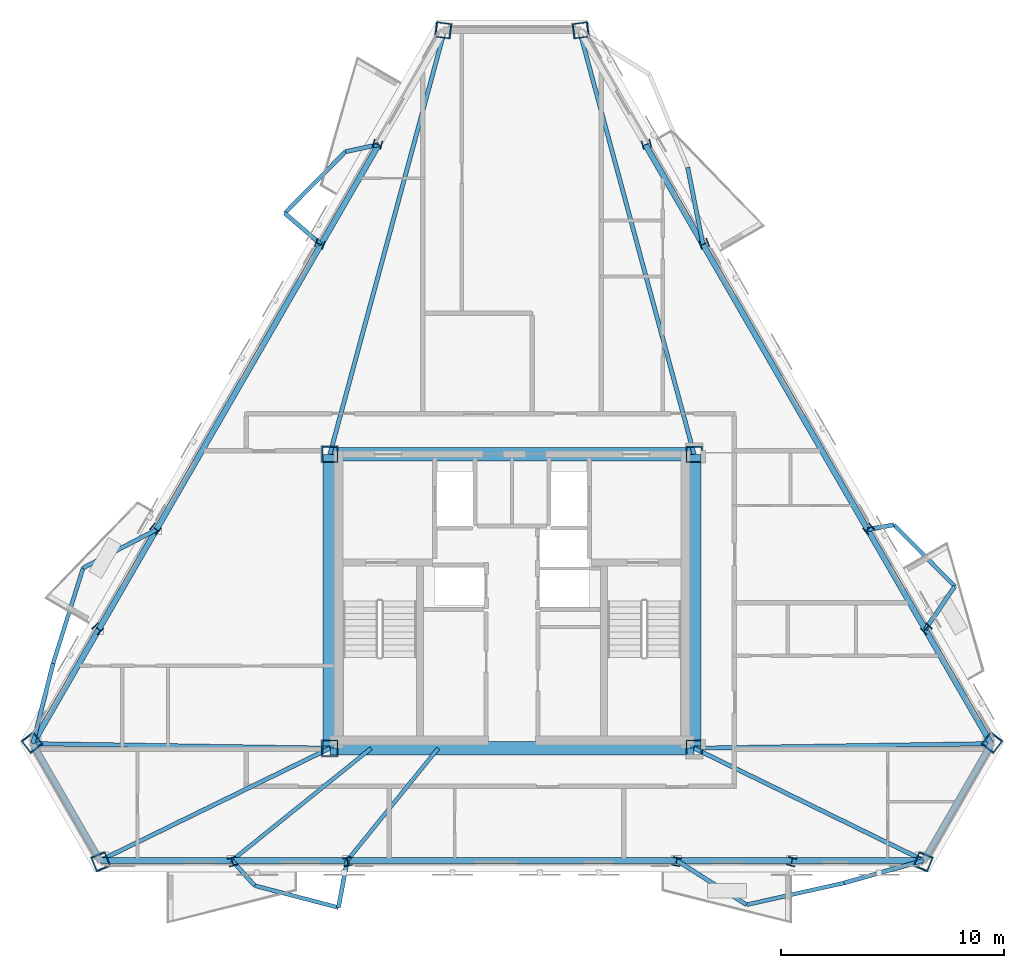
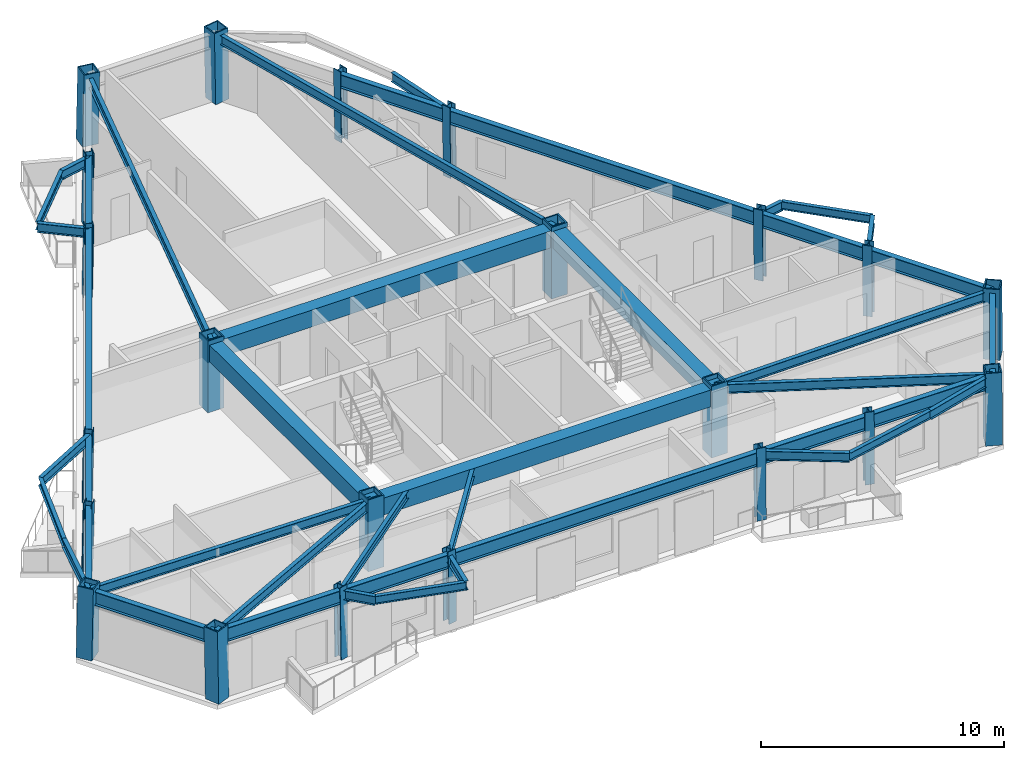
# One storey, part 1 of 9: 43 beams, 22 columns.
"""IFC4 building model written with IfcOpenShell, lengths in metres."""

from ifc_helpers import new_model, si_unit, direction, frame, origin, origin_2d, place, context, subcontext, project, spatial, rectangle, hollow_rectangle, i_section, extrude, material, material_profile, profile_set, type_object, element, save


model = new_model("IFC4")

# Units and contexts
model_context = context("Model", 3, precision=1e-05, world=origin(), true_north=direction((0.0, 1.0)))
body_context = subcontext(model_context, "Body", "Model", "MODEL_VIEW")
ifc_project = project(units=[si_unit("LENGTHUNIT", "METRE"), si_unit("AREAUNIT", "SQUARE_METRE"), si_unit("VOLUMEUNIT", "CUBIC_METRE"), si_unit("PLANEANGLEUNIT", "RADIAN"), si_unit("MASSUNIT", "GRAM", prefix="KILO")], contexts=[model_context])

# Site, building, storey
site_placement = place(None, origin())
site = spatial("IfcSite", under=ifc_project, at=site_placement, CompositionType="ELEMENT")
building_placement = place(site_placement, origin())
building = spatial("IfcBuilding", under=site, at=building_placement, Name="Oramaril Tower", CompositionType="ELEMENT")
storey_placement = place(building_placement, frame((0.0, 0.0, 230.699951171875)))
storey = spatial("IfcBuildingStorey", under=building, at=storey_placement, Name="L61", CompositionType="ELEMENT", Elevation=230.699951171875)

# Columns
ifc_material_1 = material(Name="Steel ASTM A572 Gr 50", Category="steel")
ifc_material_profile_1 = material_profile(ifc_material_1, hollow_rectangle(XDim=0.75, YDim=0.75, WallThickness=0.06005859375, at=origin_2d()), Name="BOX750X750X60")
ifc_profile_set_1 = profile_set([ifc_material_profile_1], Name="Steel ASTM A572 Gr 50")
column_type_1 = type_object("IfcColumnType", Name="CT-CC4", PredefinedType="COLUMN", material=ifc_profile_set_1)
for number, where, z_axis, x_axis, name in (
    (1, (29.35009765625, 11.0, 0.0), (0.0, 0.0, 1.0), (1.0, 0.0, 0.0), "L61 Core Column CC-1"),
    (2, (45.64990234375, 11.0, 0.0), (0.0, 0.0, 1.0), (1.0, 0.0, 0.0), "L61 Core Column CC-2"),
    (3, (45.64990234375, 24.14990234375, 0.0), (0.0, 0.0, 1.0), (1.0, 0.0, 0.0), "L61 Core Column CC-3"),
    (4, (29.35009765625, 24.14990234375, 0.0), (0.0, 0.0, 1.0), (1.0, 0.0, 0.0), "L61 Core Column CC-4"),
):
    element("IfcColumn", number, at=place(storey_placement, frame(where, z_axis=z_axis, x_axis=x_axis)), inside=storey, type_object=column_type_1, Name=name, PredefinedType="COLUMN", context=body_context, shape_type="SweptSolid", body=[
        extrude(hollow_rectangle(XDim=0.75, YDim=0.75, WallThickness=0.06005859375, at=origin_2d()), origin(), (0.0, 0.0, 1.0), 3.60009765625),
    ])
ifc_material_2 = material(Name="Steel ASTM A572 Gr 50", Category="steel")
ifc_material_profile_2 = material_profile(ifc_material_2, hollow_rectangle(XDim=0.699951171875, YDim=0.699951171875, WallThickness=0.054931640625, at=origin_2d()), Name="BOX700X700X55")
ifc_profile_set_2 = profile_set([ifc_material_profile_2], Name="Steel ASTM A572 Gr 50")
column_type_2 = type_object("IfcColumnType", Name="CT-TC4", PredefinedType="COLUMN", material=ifc_profile_set_2)
for number, where, z_axis, x_axis, name in (
    (5, (16.015869140625, 11.26025390625, 0.004638671875), (0.011828072594, -0.015362898887, 0.99981202135), (0.792363245136, 0.610049578114, 0.0), "L61 Tube Column TC-01"),
    (6, (19.102294921875, 5.9140625, 0.004638671875), (-0.00727358835, 0.01794604976, 0.999812499527), (-0.92677229947, -0.375623621376, 0.0), "L61 Tube Column TC-02"),
    (7, (55.897705078125, 5.9140625, 0.004638671875), (0.00727358835, 0.01794604976, 0.999812499527), (-0.92677229947, 0.375623621376, 0.0), "L61 Tube Column TC-03"),
    (8, (58.984130859375, 11.26025390625, 0.004638671875), (-0.011828072594, -0.015362898887, 0.99981202135), (0.792363245136, -0.610049578114, 0.0), "L61 Tube Column TC-04"),
    (9, (40.58642578125, 43.125732421875, 0.004638671875), (-0.019169651902, -0.002583144582, 0.999812908403), (0.133544771916, -0.991042781061, 0.0), "L61 Tube Column TC-05"),
    (10, (34.41357421875, 43.125732421875, 0.004638671875), (0.019169651902, -0.002583144582, 0.999812908403), (0.133544771916, 0.991042781061, 0.0), "L61 Tube Column TC-06"),
):
    element("IfcColumn", number, at=place(storey_placement, frame(where, z_axis=z_axis, x_axis=x_axis)), inside=storey, type_object=column_type_2, Name=name, PredefinedType="COLUMN", context=body_context, shape_type="SweptSolid", body=[
        extrude(hollow_rectangle(XDim=0.699951171875, YDim=0.699951171875, WallThickness=0.054931640625, at=origin_2d()), origin(), (0.0, 0.0, 1.0), 3.591552734375),
    ])
ifc_material_3 = material(Name="Steel ASTM A572 Gr 50", Category="steel")
ifc_material_profile_3 = material_profile(ifc_material_3, i_section(OverallWidth=0.39892578125, OverallDepth=0.385986328125, WebThickness=0.02099609375, FlangeThickness=0.033203125, at=origin_2d()), Name="W14X176")
ifc_profile_set_3 = profile_set([ifc_material_profile_3], Name="Steel ASTM A572 Gr 50")
column_type_3 = type_object("IfcColumnType", Name="CT-TF4", PredefinedType="COLUMN", material=ifc_profile_set_3)
column_1_placement = place(storey_placement, frame((24.989501953125, 5.9140625, 0.004638671875), z_axis=(-0.004962424838, 0.017946303524, 0.999826637237), x_axis=(-0.963831076081, -0.266513896037, 0.0)))
element("IfcColumn", 11, at=column_1_placement, inside=storey, type_object=column_type_3, Name="L61 Tube Column TC-07", PredefinedType="COLUMN", context=body_context, shape_type="SweptSolid", body=[
    extrude(i_section(OverallWidth=0.39892578125, OverallDepth=0.385986328125, WebThickness=0.02099609375, FlangeThickness=0.033203125, at=origin_2d()), origin(), (0.0, 0.0, 1.0), 3.591552734375),
])
for number, where, z_axis, x_axis, name in (
    (12, (30.14111328125, 5.9140625, 0.004638671875), (-0.002991074036, 0.017946444218, 0.999834475609), (-0.986393923832, -0.164398987305, 0.0), "L61 Tube Column TC-08"),
    (13, (44.85888671875, 5.9140625, 0.004638671875), (0.002991074036, 0.017946444218, 0.999834475609), (-0.986393923832, 0.164398987305, 0.0), "L61 Tube Column TC-09"),
):
    element("IfcColumn", number, at=place(storey_placement, frame(where, z_axis=z_axis, x_axis=x_axis)), inside=storey, type_object=column_type_3, Name=name, PredefinedType="COLUMN", context=body_context, shape_type="SweptSolid", body=[
        extrude(i_section(OverallWidth=0.39892578125, OverallDepth=0.385986328125, WebThickness=0.02099609375, FlangeThickness=0.033203125, at=origin_2d()), origin(), (0.0, 0.0, 1.0), 3.59130859375),
    ])
for number, where, z_axis, x_axis, name in (
    (14, (50.010498046875, 5.9140625, 0.004638671875), (0.004962424838, 0.017946303524, 0.999826637237), (-0.963831076081, 0.266513896037, 0.0), "L61 Tube Column TC-10"),
    (15, (56.04052734375, 16.358642578125, 0.004638671875), (-0.012983894256, -0.013255808272, 0.999827836198), (0.714395955768, -0.699741679752, 0.0), "L61 Tube Column TC-11"),
):
    element("IfcColumn", number, at=place(storey_placement, frame(where, z_axis=z_axis, x_axis=x_axis)), inside=storey, type_object=column_type_3, Name=name, PredefinedType="COLUMN", context=body_context, shape_type="SweptSolid", body=[
        extrude(i_section(OverallWidth=0.39892578125, OverallDepth=0.385986328125, WebThickness=0.02099609375, FlangeThickness=0.033203125, at=origin_2d()), origin(), (0.0, 0.0, 1.0), 3.591552734375),
    ])
for number, where, z_axis, x_axis, name in (
    (16, (53.46484375, 20.81982421875, 0.004638671875), (-0.01407165098, -0.011488449351, 0.999834988471), (0.632422318611, -0.774623786701, 0.0), "L61 Tube Column TC-12"),
    (17, (46.105712890625, 33.566162109375, 0.004638671875), (-0.016926783589, -0.006458009803, 0.999835875585), (0.356463384925, -0.934309293119, 0.0), "L61 Tube Column TC-13"),
):
    element("IfcColumn", number, at=place(storey_placement, frame(where, z_axis=z_axis, x_axis=x_axis)), inside=storey, type_object=column_type_3, Name=name, PredefinedType="COLUMN", context=body_context, shape_type="SweptSolid", body=[
        extrude(i_section(OverallWidth=0.39892578125, OverallDepth=0.385986328125, WebThickness=0.02099609375, FlangeThickness=0.033203125, at=origin_2d()), origin(), (0.0, 0.0, 1.0), 3.59130859375),
    ])
for number, where, z_axis, x_axis, name in (
    (18, (43.530029296875, 38.027099609375, 0.004638671875), (-0.017946332757, -0.004622540256, 0.999828265885), (0.249434236033, -0.968391739894, 0.0), "L61 Tube Column TC-14"),
    (19, (31.469970703125, 38.027099609375, 0.004638671875), (0.017946332757, -0.004622540256, 0.999828265885), (0.249434236033, 0.968391739894, 0.0), "L61 Tube Column TC-15"),
):
    element("IfcColumn", number, at=place(storey_placement, frame(where, z_axis=z_axis, x_axis=x_axis)), inside=storey, type_object=column_type_3, Name=name, PredefinedType="COLUMN", context=body_context, shape_type="SweptSolid", body=[
        extrude(i_section(OverallWidth=0.39892578125, OverallDepth=0.385986328125, WebThickness=0.02099609375, FlangeThickness=0.033203125, at=origin_2d()), origin(), (0.0, 0.0, 1.0), 3.591552734375),
    ])
for number, where, z_axis, x_axis, name in (
    (20, (28.894287109375, 33.566162109375, 0.004638671875), (0.016926783589, -0.006458009803, 0.999835875585), (0.356463384925, 0.934309293119, 0.0), "L61 Tube Column TC-16"),
    (21, (21.53515625, 20.81982421875, 0.004638671875), (0.01407165098, -0.011488449351, 0.999834988471), (0.632422318611, 0.774623786701, 0.0), "L61 Tube Column TC-17"),
):
    element("IfcColumn", number, at=place(storey_placement, frame(where, z_axis=z_axis, x_axis=x_axis)), inside=storey, type_object=column_type_3, Name=name, PredefinedType="COLUMN", context=body_context, shape_type="SweptSolid", body=[
        extrude(i_section(OverallWidth=0.39892578125, OverallDepth=0.385986328125, WebThickness=0.02099609375, FlangeThickness=0.033203125, at=origin_2d()), origin(), (0.0, 0.0, 1.0), 3.59130859375),
    ])
column_2_placement = place(storey_placement, frame((18.95947265625, 16.358642578125, 0.004638671875), z_axis=(0.012983894256, -0.013255808272, 0.999827836198), x_axis=(0.714395955768, 0.699741679752, 0.0)))
element("IfcColumn", 22, at=column_2_placement, inside=storey, type_object=column_type_3, Name="L61 Tube Column TC-18", PredefinedType="COLUMN", context=body_context, shape_type="SweptSolid", body=[
    extrude(i_section(OverallWidth=0.39892578125, OverallDepth=0.385986328125, WebThickness=0.02099609375, FlangeThickness=0.033203125, at=origin_2d()), origin(), (0.0, 0.0, 1.0), 3.591552734375),
])

# Beams
ifc_material_4 = material(Name="Steel ASTM A572 Gr 50", Category="steel")
ifc_material_profile_4 = material_profile(ifc_material_4, i_section(OverallWidth=0.19091796875, OverallDepth=0.45703125, WebThickness=0.009033203125, FlangeThickness=0.014404296875, at=origin_2d()), Name="W18X50")
ifc_profile_set_4 = profile_set([ifc_material_profile_4], Name="Steel ASTM A572 Gr 50")
beam_type_1 = type_object("IfcBeamType", Name="BT-BB1", PredefinedType="BEAM", material=ifc_profile_set_4)
beam_1_placement = place(storey_placement, frame((29.35009765625, 11.0, 3.151611328125), z_axis=(-0.999880994523, 0.015427144636, 0.0), x_axis=(-0.015427144636, -0.999880994523, 0.0)))
element("IfcBeam", 23, at=beam_1_placement, inside=storey, type_object=beam_type_1, Name="L61 Radial Primary Beam RB-01", PredefinedType="BEAM", context=body_context, shape_type="SweptSolid", body=[
    extrude(i_section(OverallWidth=0.19091796875, OverallDepth=0.45703125, WebThickness=0.009033203125, FlangeThickness=0.014404296875, at=origin_2d()), origin(), (0.0, 0.0, 1.0), 13.293212890625),
])
for number, where, z_axis, x_axis, name in (
    (24, (29.35009765625, 11.0, 3.151611328125), (-0.898430033288, -0.439116698937, 0.0), (0.439116698937, -0.898430033288, 0.0), "L61 Radial Primary Beam RB-02"),
    (25, (45.64990234375, 11.0, 3.151611328125), (0.898430033288, -0.439116698937, 0.0), (0.439116698937, 0.898430033288, 0.0), "L61 Radial Primary Beam RB-03"),
):
    element("IfcBeam", number, at=place(storey_placement, frame(where, z_axis=z_axis, x_axis=x_axis)), inside=storey, type_object=beam_type_1, Name=name, PredefinedType="BEAM", context=body_context, shape_type="SweptSolid", body=[
        extrude(i_section(OverallWidth=0.19091796875, OverallDepth=0.45703125, WebThickness=0.009033203125, FlangeThickness=0.014404296875, at=origin_2d()), origin(), (0.0, 0.0, 1.0), 11.435302734375),
    ])
beam_2_placement = place(storey_placement, frame((45.64990234375, 11.0, 3.151611328125), z_axis=(0.999880994523, 0.015427144636, 0.0), x_axis=(-0.015427144636, 0.999880994523, 0.0)))
element("IfcBeam", 26, at=beam_2_placement, inside=storey, type_object=beam_type_1, Name="L61 Radial Primary Beam RB-04", PredefinedType="BEAM", context=body_context, shape_type="SweptSolid", body=[
    extrude(i_section(OverallWidth=0.19091796875, OverallDepth=0.45703125, WebThickness=0.009033203125, FlangeThickness=0.014404296875, at=origin_2d()), origin(), (0.0, 0.0, 1.0), 13.293212890625),
])
for number, where, z_axis, x_axis, name in (
    (27, (45.64990234375, 24.14990234375, 3.151611328125), (-0.261204445551, 0.965283501167, 0.0), (-0.965283501167, -0.261204445551, 0.0), "L61 Radial Primary Beam RB-05"),
    (28, (29.35009765625, 24.14990234375, 3.151611328125), (0.261204445551, 0.965283501167, 0.0), (-0.965283501167, 0.261204445551, 0.0), "L61 Radial Primary Beam RB-06"),
):
    element("IfcBeam", number, at=place(storey_placement, frame(where, z_axis=z_axis, x_axis=x_axis)), inside=storey, type_object=beam_type_1, Name=name, PredefinedType="BEAM", context=body_context, shape_type="SweptSolid", body=[
        extrude(i_section(OverallWidth=0.19091796875, OverallDepth=0.45703125, WebThickness=0.009033203125, FlangeThickness=0.014404296875, at=origin_2d()), origin(), (0.0, 0.0, 1.0), 19.648681640625),
    ])
beam_3_placement = place(storey_placement, frame((24.9716796875, 5.978515625, 3.151611328125), z_axis=(0.669506293963, -0.74280638281, 0.0), x_axis=(0.74280638281, 0.669506293963, 0.0)))
element("IfcBeam", 29, at=beam_3_placement, inside=storey, type_object=beam_type_1, Name="L61 Balcony Column-Framed Cantilever 01.1", PredefinedType="BEAM", context=body_context, shape_type="SweptSolid", body=[
    extrude(i_section(OverallWidth=0.19091796875, OverallDepth=0.45703125, WebThickness=0.009033203125, FlangeThickness=0.014404296875, at=origin_2d()), origin(), (0.0, 0.0, 1.0), 1.518798828125),
])
beam_4_placement = place(storey_placement, frame((30.13037109375, 5.978515625, 3.151611328125), z_axis=(-0.185490791445, -0.982646002531, 0.0), x_axis=(0.982646002531, -0.185490791445, 0.0)))
element("IfcBeam", 30, at=beam_4_placement, inside=storey, type_object=beam_type_1, Name="L61 Balcony Column-Framed Cantilever 01.2", PredefinedType="BEAM", context=body_context, shape_type="SweptSolid", body=[
    extrude(i_section(OverallWidth=0.19091796875, OverallDepth=0.45703125, WebThickness=0.009033203125, FlangeThickness=0.014404296875, at=origin_2d()), origin(), (0.0, 0.0, 1.0), 2.145263671875),
])
for number, where, z_axis, x_axis, name in (
    (31, (44.86962890625, 5.978515625, 3.151611328125), (0.844394284407, -0.535722215762, 0.0), (0.535722215762, 0.844394284407, 0.0), "L61 Balcony Column-Framed Cantilever 02.1"),
    (32, (55.923828125, 5.978515625, 3.151611328125), (-0.962227899272, -0.272245238456, 0.0), (0.272245238456, -0.962227899272, 0.0), "L61 Balcony Column-Framed Cantilever 02.2"),
):
    element("IfcBeam", number, at=place(storey_placement, frame(where, z_axis=z_axis, x_axis=x_axis)), inside=storey, type_object=beam_type_1, Name=name, PredefinedType="BEAM", context=body_context, shape_type="SweptSolid", body=[
        extrude(i_section(OverallWidth=0.19091796875, OverallDepth=0.45703125, WebThickness=0.009033203125, FlangeThickness=0.014404296875, at=origin_2d()), origin(), (0.0, 0.0, 1.0), 3.699951171875),
    ])
beam_5_placement = place(storey_placement, frame((55.993896484375, 16.31103515625, 3.151611328125), z_axis=(0.562786427554, 0.826602345122, 0.0), x_axis=(-0.826602345122, 0.562786427554, 0.0)))
element("IfcBeam", 33, at=beam_5_placement, inside=storey, type_object=beam_type_1, Name="L61 Balcony Column-Framed Cantilever 03.1", PredefinedType="BEAM", context=body_context, shape_type="SweptSolid", body=[
    extrude(i_section(OverallWidth=0.19091796875, OverallDepth=0.45703125, WebThickness=0.009033203125, FlangeThickness=0.014404296875, at=origin_2d()), origin(), (0.0, 0.0, 1.0), 2.34033203125),
])
beam_6_placement = place(storey_placement, frame((53.414306640625, 20.778564453125, 3.151611328125), z_axis=(0.983026628784, 0.183462931135, 0.0), x_axis=(-0.183462931135, 0.983026628784, 0.0)))
element("IfcBeam", 34, at=beam_6_placement, inside=storey, type_object=beam_type_1, Name="L61 Balcony Column-Framed Cantilever 03.2", PredefinedType="BEAM", context=body_context, shape_type="SweptSolid", body=[
    extrude(i_section(OverallWidth=0.19091796875, OverallDepth=0.45703125, WebThickness=0.009033203125, FlangeThickness=0.014404296875, at=origin_2d()), origin(), (0.0, 0.0, 1.0), 1.1962890625),
])
beam_7_placement = place(storey_placement, frame((46.044921875, 33.54296875, 3.151611328125), z_axis=(-0.195072483693, 0.980788828498, 0.0), x_axis=(-0.980788828498, -0.195072483693, 0.0)))
element("IfcBeam", 35, at=beam_7_placement, inside=storey, type_object=beam_type_1, Name="L61 Balcony Column-Framed Cantilever 04.1", PredefinedType="BEAM", context=body_context, shape_type="SweptSolid", body=[
    extrude(i_section(OverallWidth=0.19091796875, OverallDepth=0.45703125, WebThickness=0.009033203125, FlangeThickness=0.014404296875, at=origin_2d()), origin(), (0.0, 0.0, 1.0), 3.50927734375),
])
beam_8_placement = place(storey_placement, frame((31.534423828125, 38.010498046875, 3.151611328125), z_axis=(-0.978048792626, -0.208376004479, 0.0), x_axis=(0.208376004479, -0.978048792626, 0.0)))
element("IfcBeam", 36, at=beam_8_placement, inside=storey, type_object=beam_type_1, Name="L61 Balcony Column-Framed Cantilever 05.1", PredefinedType="BEAM", context=body_context, shape_type="SweptSolid", body=[
    extrude(i_section(OverallWidth=0.19091796875, OverallDepth=0.45703125, WebThickness=0.009033203125, FlangeThickness=0.014404296875, at=origin_2d()), origin(), (0.0, 0.0, 1.0), 1.5185546875),
])
beam_9_placement = place(storey_placement, frame((28.955078125, 33.54296875, 3.151611328125), z_axis=(-0.758203200479, 0.652018333165, 0.0), x_axis=(-0.652018333165, -0.758203200479, 0.0)))
element("IfcBeam", 37, at=beam_9_placement, inside=storey, type_object=beam_type_1, Name="L61 Balcony Column-Framed Cantilever 05.2", PredefinedType="BEAM", context=body_context, shape_type="SweptSolid", body=[
    extrude(i_section(OverallWidth=0.19091796875, OverallDepth=0.45703125, WebThickness=0.009033203125, FlangeThickness=0.014404296875, at=origin_2d()), origin(), (0.0, 0.0, 1.0), 2.145263671875),
])
beam_10_placement = place(storey_placement, frame((21.585693359375, 20.778564453125, 3.151611328125), z_axis=(-0.886123225641, -0.463449704907, 0.0), x_axis=(0.463449704907, -0.886123225641, 0.0)))
element("IfcBeam", 38, at=beam_10_placement, inside=storey, type_object=beam_type_1, Name="L61 Balcony Column-Framed Cantilever 06.1", PredefinedType="BEAM", context=body_context, shape_type="SweptSolid", body=[
    extrude(i_section(OverallWidth=0.19091796875, OverallDepth=0.45703125, WebThickness=0.009033203125, FlangeThickness=0.014404296875, at=origin_2d()), origin(), (0.0, 0.0, 1.0), 3.7001953125),
])
beam_11_placement = place(storey_placement, frame((16.058349609375, 11.205078125, 3.151611328125), z_axis=(0.245391254889, 0.969424123913, 0.0), x_axis=(-0.969424123913, 0.245391254889, 0.0)))
element("IfcBeam", 39, at=beam_11_placement, inside=storey, type_object=beam_type_1, Name="L61 Balcony Column-Framed Cantilever 06.2", PredefinedType="BEAM", context=body_context, shape_type="SweptSolid", body=[
    extrude(i_section(OverallWidth=0.19091796875, OverallDepth=0.45703125, WebThickness=0.009033203125, FlangeThickness=0.014404296875, at=origin_2d()), origin(), (0.0, 0.0, 1.0), 3.699951171875),
])
ifc_material_5 = material(Name="Concrete C50/60", Category="concrete")
ifc_material_profile_5 = material_profile(ifc_material_5, rectangle(XDim=0.60009765625, YDim=0.85009765625, at=origin_2d()), Name="CB600X850")
ifc_profile_set_5 = profile_set([ifc_material_profile_5], Name="Concrete C50/60")
beam_type_2 = type_object("IfcBeamType", Name="BT-CB2", PredefinedType="BEAM", material=ifc_profile_set_5)
beam_12_placement = place(storey_placement, frame((29.35009765625, 11.0, 2.955078125), z_axis=(1.0, 0.0, 0.0), x_axis=(0.0, 1.0, 0.0)))
element("IfcBeam", 40, at=beam_12_placement, inside=storey, type_object=beam_type_2, Name="L61 Core Header Beam CB-1", PredefinedType="BEAM", context=body_context, shape_type="SweptSolid", body=[
    extrude(rectangle(XDim=0.60009765625, YDim=0.85009765625, at=origin_2d()), origin(), (0.0, 0.0, 1.0), 16.2998046875),
])
beam_13_placement = place(storey_placement, frame((45.64990234375, 11.0, 2.955078125), z_axis=(0.0, 1.0, 0.0), x_axis=(-1.0, 0.0, 0.0)))
element("IfcBeam", 41, at=beam_13_placement, inside=storey, type_object=beam_type_2, Name="L61 Core Header Beam CB-2", PredefinedType="BEAM", context=body_context, shape_type="SweptSolid", body=[
    extrude(rectangle(XDim=0.60009765625, YDim=0.85009765625, at=origin_2d()), origin(), (0.0, 0.0, 1.0), 13.14990234375),
])
beam_14_placement = place(storey_placement, frame((45.64990234375, 24.14990234375, 2.955078125), z_axis=(-1.0, 0.0, 0.0), x_axis=(0.0, -1.0, 0.0)))
element("IfcBeam", 42, at=beam_14_placement, inside=storey, type_object=beam_type_2, Name="L61 Core Header Beam CB-3", PredefinedType="BEAM", context=body_context, shape_type="SweptSolid", body=[
    extrude(rectangle(XDim=0.60009765625, YDim=0.85009765625, at=origin_2d()), origin(), (0.0, 0.0, 1.0), 16.2998046875),
])
beam_15_placement = place(storey_placement, frame((29.35009765625, 24.14990234375, 2.955078125), z_axis=(0.0, -1.0, 0.0), x_axis=(1.0, 0.0, 0.0)))
element("IfcBeam", 43, at=beam_15_placement, inside=storey, type_object=beam_type_2, Name="L61 Core Header Beam CB-4", PredefinedType="BEAM", context=body_context, shape_type="SweptSolid", body=[
    extrude(rectangle(XDim=0.60009765625, YDim=0.85009765625, at=origin_2d()), origin(), (0.0, 0.0, 1.0), 13.14990234375),
])
ifc_material_6 = material(Name="Steel ASTM A572 Gr 50", Category="steel")
ifc_material_profile_6 = material_profile(ifc_material_6, i_section(OverallWidth=0.177978515625, OverallDepth=0.404052734375, WebThickness=0.007568359375, FlangeThickness=0.010986328125, at=origin_2d()), Name="W16X36")
ifc_profile_set_6 = profile_set([ifc_material_profile_6], Name="Steel ASTM A572 Gr 50")
beam_type_3 = type_object("IfcBeamType", Name="BT-SB1", PredefinedType="BEAM", material=ifc_profile_set_6)
beam_16_placement = place(storey_placement, frame((31.199951171875, 11.0, 3.177978515625), z_axis=(-0.77849336365, -0.627652836171, 0.0), x_axis=(0.627652836171, -0.77849336365, 0.0)))
element("IfcBeam", 44, at=beam_16_placement, inside=storey, type_object=beam_type_3, Name="L61 Secondary Floor Beam SB-01", PredefinedType="BEAM", context=body_context, shape_type="SweptSolid", body=[
    extrude(i_section(OverallWidth=0.177978515625, OverallDepth=0.404052734375, WebThickness=0.007568359375, FlangeThickness=0.010986328125, at=origin_2d()), origin(), (0.0, 0.0, 1.0), 8.00048828125),
])
beam_17_placement = place(storey_placement, frame((34.199951171875, 11.0, 3.177978515625), z_axis=(-0.629625166781, -0.776899059953, 0.0), x_axis=(0.776899059953, -0.629625166781, 0.0)))
element("IfcBeam", 45, at=beam_17_placement, inside=storey, type_object=beam_type_3, Name="L61 Secondary Floor Beam SB-02", PredefinedType="BEAM", context=body_context, shape_type="SweptSolid", body=[
    extrude(i_section(OverallWidth=0.177978515625, OverallDepth=0.404052734375, WebThickness=0.007568359375, FlangeThickness=0.010986328125, at=origin_2d()), origin(), (0.0, 0.0, 1.0), 6.46337890625),
])
beam_18_placement = place(storey_placement, frame((25.988525390625, 4.850341796875, 3.177978515625), z_axis=(0.967407922874, -0.253223045479, 0.0), x_axis=(0.253223045479, 0.967407922874, 0.0)))
element("IfcBeam", 46, at=beam_18_placement, inside=storey, type_object=beam_type_3, Name="L61 Balcony Edge Tie Beam 01", PredefinedType="BEAM", context=body_context, shape_type="SweptSolid", body=[
    extrude(i_section(OverallWidth=0.177978515625, OverallDepth=0.404052734375, WebThickness=0.007568359375, FlangeThickness=0.010986328125, at=origin_2d()), origin(), (0.0, 0.0, 1.0), 3.8701171875),
])
beam_19_placement = place(storey_placement, frame((47.993896484375, 3.996337890625, 3.177978515625), z_axis=(0.976005804242, 0.217744506444, 0.0), x_axis=(-0.217744506444, 0.976005804242, 0.0)))
element("IfcBeam", 47, at=beam_19_placement, inside=storey, type_object=beam_type_3, Name="L61 Balcony Edge Tie Beam 02", PredefinedType="BEAM", context=body_context, shape_type="SweptSolid", body=[
    extrude(i_section(OverallWidth=0.177978515625, OverallDepth=0.404052734375, WebThickness=0.007568359375, FlangeThickness=0.010986328125, at=origin_2d()), origin(), (0.0, 0.0, 1.0), 4.47705078125),
])
for number, where, z_axis, x_axis, name in (
    (48, (57.31103515625, 18.24560546875, 3.177978515625), (-0.702994511648, 0.71119527318, 0.0), (-0.71119527318, -0.702994511648, 0.0), "L61 Balcony Edge Tie Beam 03"),
    (49, (30.04931640625, 37.694091796875, 3.177978515625), (-0.702994511648, -0.71119527318, 0.0), (0.71119527318, -0.702994511648, 0.0), "L61 Balcony Edge Tie Beam 05"),
):
    element("IfcBeam", number, at=place(storey_placement, frame(where, z_axis=z_axis, x_axis=x_axis)), inside=storey, type_object=beam_type_3, Name=name, PredefinedType="BEAM", context=body_context, shape_type="SweptSolid", body=[
        extrude(i_section(OverallWidth=0.177978515625, OverallDepth=0.404052734375, WebThickness=0.007568359375, FlangeThickness=0.010986328125, at=origin_2d()), origin(), (0.0, 0.0, 1.0), 3.8701171875),
    ])
beam_20_placement = place(storey_placement, frame((18.306884765625, 19.063720703125, 3.177978515625), z_axis=(-0.299426707436, -0.954119304319, 0.0), x_axis=(0.954119304319, -0.299426707436, 0.0)))
element("IfcBeam", 50, at=beam_20_placement, inside=storey, type_object=beam_type_3, Name="L61 Balcony Edge Tie Beam 06", PredefinedType="BEAM", context=body_context, shape_type="SweptSolid", body=[
    extrude(i_section(OverallWidth=0.177978515625, OverallDepth=0.404052734375, WebThickness=0.007568359375, FlangeThickness=0.010986328125, at=origin_2d()), origin(), (0.0, 0.0, 1.0), 4.47705078125),
])
ifc_material_7 = material(Name="Steel ASTM A572 Gr 50", Category="steel")
ifc_material_profile_7 = material_profile(ifc_material_7, i_section(OverallWidth=0.257080078125, OverallDepth=0.693115234375, WebThickness=0.014404296875, FlangeThickness=0.023681640625, at=origin_2d()), Name="W27X114")
ifc_profile_set_7 = profile_set([ifc_material_profile_7], Name="Steel ASTM A572 Gr 50")
beam_type_4 = type_object("IfcBeamType", Name="BT-SP4", PredefinedType="SPANDREL", material=ifc_profile_set_7)
beam_21_placement = place(storey_placement, frame((16.058349609375, 11.205078125, 3.033447265625), z_axis=(0.500032931097, -0.866006390172, 0.0), x_axis=(0.866006390172, 0.500032931097, 0.0)))
element("IfcBeam", 51, at=beam_21_placement, inside=storey, type_object=beam_type_4, Name="L61 Perimeter Spandrel 01", PredefinedType="SPANDREL", context=body_context, shape_type="SweptSolid", body=[
    extrude(i_section(OverallWidth=0.257080078125, OverallDepth=0.693115234375, WebThickness=0.014404296875, FlangeThickness=0.023681640625, at=origin_2d()), origin(), (0.0, 0.0, 1.0), 6.03515625),
])
beam_22_placement = place(storey_placement, frame((19.076171875, 5.978515625, 3.033447265625), z_axis=(1.0, 0.0, 0.0), x_axis=(0.0, 1.0, 0.0)))
element("IfcBeam", 52, at=beam_22_placement, inside=storey, type_object=beam_type_4, Name="L61 Perimeter Spandrel 02", PredefinedType="SPANDREL", context=body_context, shape_type="SweptSolid", body=[
    extrude(i_section(OverallWidth=0.257080078125, OverallDepth=0.693115234375, WebThickness=0.014404296875, FlangeThickness=0.023681640625, at=origin_2d()), origin(), (0.0, 0.0, 1.0), 5.8955078125),
])
beam_23_placement = place(storey_placement, frame((24.9716796875, 5.978515625, 3.033447265625), z_axis=(1.0, 0.0, 0.0), x_axis=(0.0, 1.0, 0.0)))
element("IfcBeam", 53, at=beam_23_placement, inside=storey, type_object=beam_type_4, Name="L61 Perimeter Spandrel 03", PredefinedType="SPANDREL", context=body_context, shape_type="SweptSolid", body=[
    extrude(i_section(OverallWidth=0.257080078125, OverallDepth=0.693115234375, WebThickness=0.014404296875, FlangeThickness=0.023681640625, at=origin_2d()), origin(), (0.0, 0.0, 1.0), 5.15869140625),
])
beam_24_placement = place(storey_placement, frame((30.13037109375, 5.978515625, 3.033447265625), z_axis=(1.0, 0.0, 0.0), x_axis=(0.0, 1.0, 0.0)))
element("IfcBeam", 54, at=beam_24_placement, inside=storey, type_object=beam_type_4, Name="L61 Perimeter Spandrel 04", PredefinedType="SPANDREL", context=body_context, shape_type="SweptSolid", body=[
    extrude(i_section(OverallWidth=0.257080078125, OverallDepth=0.693115234375, WebThickness=0.014404296875, FlangeThickness=0.023681640625, at=origin_2d()), origin(), (0.0, 0.0, 1.0), 14.7392578125),
])
beam_25_placement = place(storey_placement, frame((44.86962890625, 5.978515625, 3.033447265625), z_axis=(1.0, 0.0, 0.0), x_axis=(0.0, 1.0, 0.0)))
element("IfcBeam", 55, at=beam_25_placement, inside=storey, type_object=beam_type_4, Name="L61 Perimeter Spandrel 05", PredefinedType="SPANDREL", context=body_context, shape_type="SweptSolid", body=[
    extrude(i_section(OverallWidth=0.257080078125, OverallDepth=0.693115234375, WebThickness=0.014404296875, FlangeThickness=0.023681640625, at=origin_2d()), origin(), (0.0, 0.0, 1.0), 5.15869140625),
])
beam_26_placement = place(storey_placement, frame((50.0283203125, 5.978515625, 3.033447265625), z_axis=(1.0, 0.0, 0.0), x_axis=(0.0, 1.0, 0.0)))
element("IfcBeam", 56, at=beam_26_placement, inside=storey, type_object=beam_type_4, Name="L61 Perimeter Spandrel 06", PredefinedType="SPANDREL", context=body_context, shape_type="SweptSolid", body=[
    extrude(i_section(OverallWidth=0.257080078125, OverallDepth=0.693115234375, WebThickness=0.014404296875, FlangeThickness=0.023681640625, at=origin_2d()), origin(), (0.0, 0.0, 1.0), 5.8955078125),
])
beam_27_placement = place(storey_placement, frame((55.923828125, 5.978515625, 3.033447265625), z_axis=(0.500032931097, 0.866006390172, 0.0), x_axis=(-0.866006390172, 0.500032931097, 0.0)))
element("IfcBeam", 57, at=beam_27_placement, inside=storey, type_object=beam_type_4, Name="L61 Perimeter Spandrel 07", PredefinedType="SPANDREL", context=body_context, shape_type="SweptSolid", body=[
    extrude(i_section(OverallWidth=0.257080078125, OverallDepth=0.693115234375, WebThickness=0.014404296875, FlangeThickness=0.023681640625, at=origin_2d()), origin(), (0.0, 0.0, 1.0), 6.03515625),
])
beam_28_placement = place(storey_placement, frame((58.941650390625, 11.205078125, 3.033447265625), z_axis=(-0.499978150234, 0.866038018385, 0.0), x_axis=(-0.866038018385, -0.499978150234, 0.0)))
element("IfcBeam", 58, at=beam_28_placement, inside=storey, type_object=beam_type_4, Name="L61 Perimeter Spandrel 08", PredefinedType="SPANDREL", context=body_context, shape_type="SweptSolid", body=[
    extrude(i_section(OverallWidth=0.257080078125, OverallDepth=0.693115234375, WebThickness=0.014404296875, FlangeThickness=0.023681640625, at=origin_2d()), origin(), (0.0, 0.0, 1.0), 5.895751953125),
])
beam_29_placement = place(storey_placement, frame((55.993896484375, 16.31103515625, 3.033447265625), z_axis=(-0.500037886552, 0.866003528868, 0.0), x_axis=(-0.866003528868, -0.500037886552, 0.0)))
element("IfcBeam", 59, at=beam_29_placement, inside=storey, type_object=beam_type_4, Name="L61 Perimeter Spandrel 09", PredefinedType="SPANDREL", context=body_context, shape_type="SweptSolid", body=[
    extrude(i_section(OverallWidth=0.257080078125, OverallDepth=0.693115234375, WebThickness=0.014404296875, FlangeThickness=0.023681640625, at=origin_2d()), origin(), (0.0, 0.0, 1.0), 5.15869140625),
])
beam_30_placement = place(storey_placement, frame((53.414306640625, 20.778564453125, 3.033447265625), z_axis=(-0.499992494826, 0.866029736855, 0.0), x_axis=(-0.866029736855, -0.499992494826, 0.0)))
element("IfcBeam", 60, at=beam_30_placement, inside=storey, type_object=beam_type_4, Name="L61 Perimeter Spandrel 10", PredefinedType="SPANDREL", context=body_context, shape_type="SweptSolid", body=[
    extrude(i_section(OverallWidth=0.257080078125, OverallDepth=0.693115234375, WebThickness=0.014404296875, FlangeThickness=0.023681640625, at=origin_2d()), origin(), (0.0, 0.0, 1.0), 14.739013671875),
])
for number, where, z_axis, x_axis, name in (
    (61, (46.044921875, 33.54296875, 3.033447265625), (-0.500002393198, 0.866024022066, 0.0), (-0.866024022066, -0.500002393198, 0.0), "L61 Perimeter Spandrel 11"),
    (62, (31.534423828125, 38.010498046875, 3.033447265625), (-0.500002393198, -0.866024022066, 0.0), (0.866024022066, -0.500002393198, 0.0), "L61 Perimeter Spandrel 15"),
):
    element("IfcBeam", number, at=place(storey_placement, frame(where, z_axis=z_axis, x_axis=x_axis)), inside=storey, type_object=beam_type_4, Name=name, PredefinedType="SPANDREL", context=body_context, shape_type="SweptSolid", body=[
        extrude(i_section(OverallWidth=0.257080078125, OverallDepth=0.693115234375, WebThickness=0.014404296875, FlangeThickness=0.023681640625, at=origin_2d()), origin(), (0.0, 0.0, 1.0), 5.15869140625),
    ])
beam_31_placement = place(storey_placement, frame((28.955078125, 33.54296875, 3.033447265625), z_axis=(-0.499992494826, -0.866029736855, 0.0), x_axis=(0.866029736855, -0.499992494826, 0.0)))
element("IfcBeam", 63, at=beam_31_placement, inside=storey, type_object=beam_type_4, Name="L61 Perimeter Spandrel 16", PredefinedType="SPANDREL", context=body_context, shape_type="SweptSolid", body=[
    extrude(i_section(OverallWidth=0.257080078125, OverallDepth=0.693115234375, WebThickness=0.014404296875, FlangeThickness=0.023681640625, at=origin_2d()), origin(), (0.0, 0.0, 1.0), 14.739013671875),
])
beam_32_placement = place(storey_placement, frame((21.585693359375, 20.778564453125, 3.033447265625), z_axis=(-0.500037886552, -0.866003528868, 0.0), x_axis=(0.866003528868, -0.500037886552, 0.0)))
element("IfcBeam", 64, at=beam_32_placement, inside=storey, type_object=beam_type_4, Name="L61 Perimeter Spandrel 17", PredefinedType="SPANDREL", context=body_context, shape_type="SweptSolid", body=[
    extrude(i_section(OverallWidth=0.257080078125, OverallDepth=0.693115234375, WebThickness=0.014404296875, FlangeThickness=0.023681640625, at=origin_2d()), origin(), (0.0, 0.0, 1.0), 5.15869140625),
])
beam_33_placement = place(storey_placement, frame((19.006103515625, 16.31103515625, 3.033447265625), z_axis=(-0.499978150234, -0.866038018385, 0.0), x_axis=(0.866038018385, -0.499978150234, 0.0)))
element("IfcBeam", 65, at=beam_33_placement, inside=storey, type_object=beam_type_4, Name="L61 Perimeter Spandrel 18", PredefinedType="SPANDREL", context=body_context, shape_type="SweptSolid", body=[
    extrude(i_section(OverallWidth=0.257080078125, OverallDepth=0.693115234375, WebThickness=0.014404296875, FlangeThickness=0.023681640625, at=origin_2d()), origin(), (0.0, 0.0, 1.0), 5.895751953125),
])

save(model, "model.ifc")
